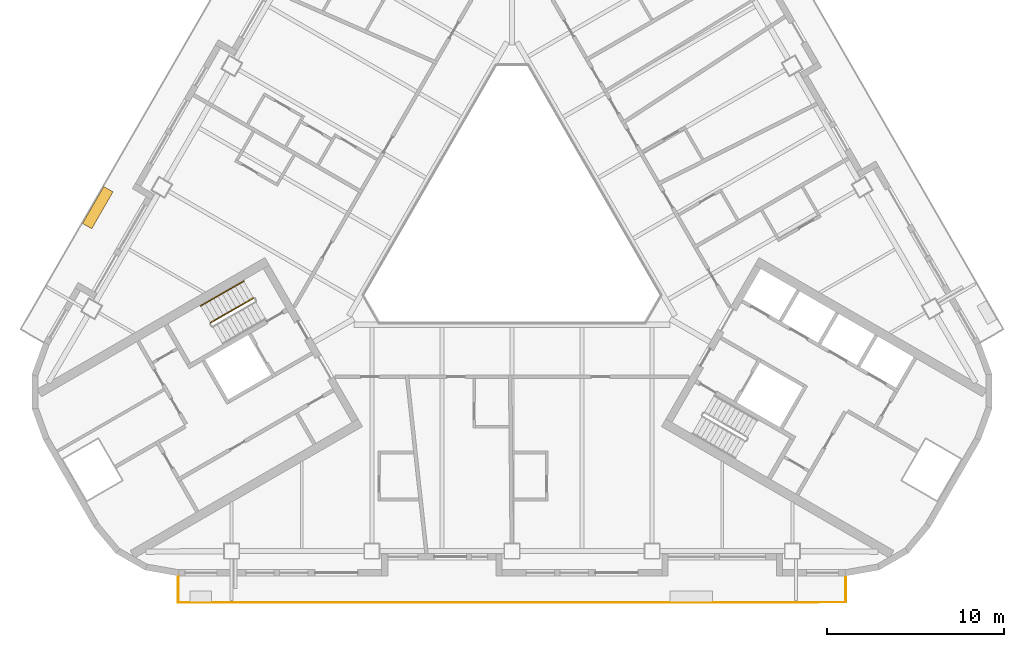
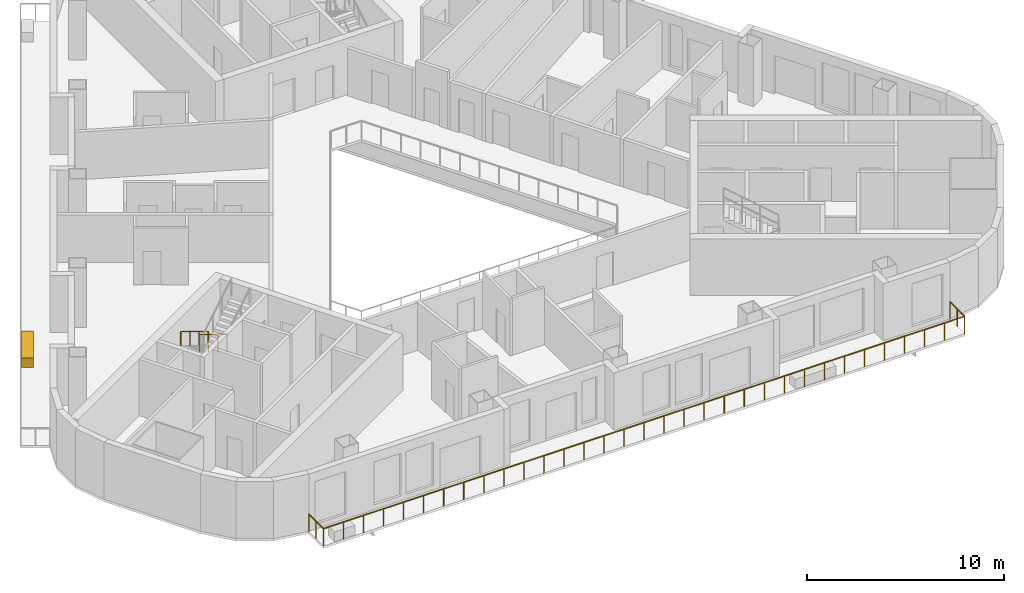
# One storey, part 10 of 14: 3 railings, 1 covering.
"""IFC4 building model written with IfcOpenShell, lengths in metres."""

from ifc_helpers import new_model, si_unit, direction, frame, origin, origin_2d, place, context, subcontext, project, spatial, rectangle, circle, extrude, material, type_object, element, save


model = new_model("IFC4")

# Units and contexts
model_context = context("Model", 3, precision=1e-05, world=origin(), true_north=direction((0.0, 1.0)))
body_context = subcontext(model_context, "Body", "Model", "MODEL_VIEW")
ifc_project = project(units=[si_unit("LENGTHUNIT", "METRE"), si_unit("AREAUNIT", "SQUARE_METRE"), si_unit("VOLUMEUNIT", "CUBIC_METRE"), si_unit("PLANEANGLEUNIT", "RADIAN"), si_unit("MASSUNIT", "GRAM", prefix="KILO")], contexts=[model_context])

# Site, building, storey
site_placement = place(None, origin())
site = spatial("IfcSite", under=ifc_project, at=site_placement, CompositionType="ELEMENT")
building_placement = place(site_placement, origin())
building = spatial("IfcBuilding", under=site, at=building_placement, Name="Apuvela Tower Hotel", CompositionType="ELEMENT")
storey_placement = place(building_placement, frame((0.0, 0.0, 116.800048828125)))
storey = spatial("IfcBuildingStorey", under=building, at=storey_placement, Name="L27", CompositionType="ELEMENT", Elevation=116.800048828125)

# Railings
ifc_material_1 = material(Name="Steel S275 balustrade", Category="steel")
railing_type_1 = type_object("IfcRailingType", Name="COR-GUARD-1100", PredefinedType="GUARDRAIL", material=ifc_material_1)
railing_1_placement = place(storey_placement, frame((-14.569091796875, -3.9658203125, 0.168212890625)))
element("IfcRailing", 1, at=railing_1_placement, inside=storey, type_object=railing_type_1, Name="L27 ST2 stair guard 1", PredefinedType="GUARDRAIL", context=body_context, shape_type="SweptSolid", body=[
    extrude(rectangle(XDim=0.048095703125, YDim=0.048095703125, at=origin_2d()), frame((0.0, 0.0, 1.076171875), z_axis=(-0.74241905619, -0.428617687091, 0.514879426), x_axis=(0.49998411664, -0.866034573852, 0.0)), (0.0, 0.0, 1.0), 3.26611328125),
    extrude(rectangle(XDim=0.0419921875, YDim=0.0419921875, at=origin_2d()), origin(), (0.0, 0.0, 1.0), 1.052001953125),
    extrude(rectangle(XDim=0.0419921875, YDim=0.0419921875, at=origin_2d()), frame((-0.808349609375, -0.466552734375, 0.560546875)), (0.0, 0.0, 1.0), 1.052001953125),
    extrude(rectangle(XDim=0.0419921875, YDim=0.0419921875, at=origin_2d()), frame((-1.616455078125, -0.933349609375, 1.12109375)), (0.0, 0.0, 1.0), 1.052001953125),
    extrude(rectangle(XDim=0.0419921875, YDim=0.0419921875, at=origin_2d()), frame((-2.4248046875, -1.39990234375, 1.681640625)), (0.0, 0.0, 1.0), 1.052001953125),
])
ifc_material_2 = material(Name="Stainless steel 316 handrail", Category="steel")
railing_type_2 = type_object("IfcRailingType", Name="COR-HANDRAIL-900", PredefinedType="HANDRAIL", material=ifc_material_2)
railing_2_placement = place(storey_placement, frame((-15.118896484375, -3.01318359375, 0.168212890625)))
element("IfcRailing", 2, at=railing_2_placement, inside=storey, type_object=railing_type_2, Name="L27 ST2 stair handrail 1", PredefinedType="HANDRAIL", context=body_context, shape_type="SweptSolid", body=[
    extrude(circle(Radius=0.02392578125, at=origin_2d()), frame((0.0, 0.0, 0.8759765625), z_axis=(-0.742452602333, -0.428593901316, 0.514850853203), x_axis=(0.49994636267, -0.866056369097, 0.0)), (0.0, 0.0, 1.0), 3.266357421875),
    extrude(rectangle(XDim=0.0419921875, YDim=0.0419921875, at=origin_2d()), origin(), (0.0, 0.0, 1.0), 0.851806640625),
    extrude(rectangle(XDim=0.0419921875, YDim=0.0419921875, at=origin_2d()), frame((-0.808349609375, -0.466552734375, 0.560546875)), (0.0, 0.0, 1.0), 0.851806640625),
    extrude(rectangle(XDim=0.0419921875, YDim=0.0419921875, at=origin_2d()), frame((-1.61669921875, -0.933349609375, 1.12109375)), (0.0, 0.0, 1.0), 0.851806640625),
    extrude(rectangle(XDim=0.0419921875, YDim=0.0419921875, at=origin_2d()), frame((-2.425048828125, -1.39990234375, 1.681640625)), (0.0, 0.0, 1.0), 0.851806640625),
])
ifc_material_3 = material(Name="Stainless steel 316 rail with laminated glass infill", Category="steel")
railing_type_3 = type_object("IfcRailingType", Name="ENV-GUARD-1100", PredefinedType="GUARDRAIL", material=ifc_material_3)
railing_3_placement = place(storey_placement, frame((-18.81591796875, -19.6298828125, 0.0)))
element("IfcRailing", 3, at=railing_3_placement, inside=storey, type_object=railing_type_3, Name="Balcony guard S L27", PredefinedType="GUARDRAIL", context=body_context, shape_type="SweptSolid", body=[
    extrude(rectangle(XDim=0.050048828125, YDim=0.050048828125, at=origin_2d()), frame((0.0, 0.0, 1.0751953125), z_axis=(0.0, -1.0, 0.0), x_axis=(1.0, 0.0, 0.0)), (0.0, 0.0, 1.0), 1.5),
    extrude(rectangle(XDim=0.050048828125, YDim=0.050048828125, at=origin_2d()), frame((0.0, -1.5, 1.0751953125), z_axis=(1.0, 0.0, 0.0), x_axis=(0.0, 1.0, 0.0)), (0.0, 0.0, 1.0), 37.6318359375),
    extrude(rectangle(XDim=0.050048828125, YDim=0.050048828125, at=origin_2d()), frame((37.6318359375, -1.5, 1.0751953125), z_axis=(0.0, 1.0, 0.0), x_axis=(-1.0, 0.0, 0.0)), (0.0, 0.0, 1.0), 1.5),
    extrude(rectangle(XDim=0.0400390625, YDim=0.0400390625, at=origin_2d()), origin(), (0.0, 0.0, 1.0), 1.050048828125),
    extrude(rectangle(XDim=0.0400390625, YDim=0.0400390625, at=origin_2d()), frame((0.0, -0.75, 0.0)), (0.0, 0.0, 1.0), 1.050048828125),
    extrude(rectangle(XDim=0.0400390625, YDim=0.0400390625, at=origin_2d()), frame((0.0, -1.5, 0.0)), (0.0, 0.0, 1.0), 1.050048828125),
    extrude(rectangle(XDim=0.0400390625, YDim=0.0400390625, at=origin_2d()), frame((1.176025390625, -1.5, 0.0)), (0.0, 0.0, 1.0), 1.050048828125),
    extrude(rectangle(XDim=0.0400390625, YDim=0.0400390625, at=origin_2d()), frame((2.35205078125, -1.5, 0.0)), (0.0, 0.0, 1.0), 1.050048828125),
    extrude(rectangle(XDim=0.0400390625, YDim=0.0400390625, at=origin_2d()), frame((3.528076171875, -1.5, 0.0)), (0.0, 0.0, 1.0), 1.050048828125),
    extrude(rectangle(XDim=0.0400390625, YDim=0.0400390625, at=origin_2d()), frame((4.7041015625, -1.5, 0.0)), (0.0, 0.0, 1.0), 1.050048828125),
    extrude(rectangle(XDim=0.0400390625, YDim=0.0400390625, at=origin_2d()), frame((5.8798828125, -1.5, 0.0)), (0.0, 0.0, 1.0), 1.050048828125),
    extrude(rectangle(XDim=0.0400390625, YDim=0.0400390625, at=origin_2d()), frame((7.055908203125, -1.5, 0.0)), (0.0, 0.0, 1.0), 1.050048828125),
    extrude(rectangle(XDim=0.0400390625, YDim=0.0400390625, at=origin_2d()), frame((8.23193359375, -1.5, 0.0)), (0.0, 0.0, 1.0), 1.050048828125),
    extrude(rectangle(XDim=0.0400390625, YDim=0.0400390625, at=origin_2d()), frame((9.407958984375, -1.5, 0.0)), (0.0, 0.0, 1.0), 1.050048828125),
    extrude(rectangle(XDim=0.0400390625, YDim=0.0400390625, at=origin_2d()), frame((10.583984375, -1.5, 0.0)), (0.0, 0.0, 1.0), 1.050048828125),
    extrude(rectangle(XDim=0.0400390625, YDim=0.0400390625, at=origin_2d()), frame((11.760009765625, -1.5, 0.0)), (0.0, 0.0, 1.0), 1.050048828125),
    extrude(rectangle(XDim=0.0400390625, YDim=0.0400390625, at=origin_2d()), frame((12.93603515625, -1.5, 0.0)), (0.0, 0.0, 1.0), 1.050048828125),
    extrude(rectangle(XDim=0.0400390625, YDim=0.0400390625, at=origin_2d()), frame((14.11181640625, -1.5, 0.0)), (0.0, 0.0, 1.0), 1.050048828125),
    extrude(rectangle(XDim=0.0400390625, YDim=0.0400390625, at=origin_2d()), frame((15.287841796875, -1.5, 0.0)), (0.0, 0.0, 1.0), 1.050048828125),
    extrude(rectangle(XDim=0.0400390625, YDim=0.0400390625, at=origin_2d()), frame((16.4638671875, -1.5, 0.0)), (0.0, 0.0, 1.0), 1.050048828125),
    extrude(rectangle(XDim=0.0400390625, YDim=0.0400390625, at=origin_2d()), frame((17.639892578125, -1.5, 0.0)), (0.0, 0.0, 1.0), 1.050048828125),
    extrude(rectangle(XDim=0.0400390625, YDim=0.0400390625, at=origin_2d()), frame((18.81591796875, -1.5, 0.0)), (0.0, 0.0, 1.0), 1.050048828125),
    extrude(rectangle(XDim=0.0400390625, YDim=0.0400390625, at=origin_2d()), frame((19.991943359375, -1.5, 0.0)), (0.0, 0.0, 1.0), 1.050048828125),
    extrude(rectangle(XDim=0.0400390625, YDim=0.0400390625, at=origin_2d()), frame((21.16796875, -1.5, 0.0)), (0.0, 0.0, 1.0), 1.050048828125),
    extrude(rectangle(XDim=0.0400390625, YDim=0.0400390625, at=origin_2d()), frame((22.343994140625, -1.5, 0.0)), (0.0, 0.0, 1.0), 1.050048828125),
    extrude(rectangle(XDim=0.0400390625, YDim=0.0400390625, at=origin_2d()), frame((23.52001953125, -1.5, 0.0)), (0.0, 0.0, 1.0), 1.050048828125),
    extrude(rectangle(XDim=0.0400390625, YDim=0.0400390625, at=origin_2d()), frame((24.69580078125, -1.5, 0.0)), (0.0, 0.0, 1.0), 1.050048828125),
    extrude(rectangle(XDim=0.0400390625, YDim=0.0400390625, at=origin_2d()), frame((25.871826171875, -1.5, 0.0)), (0.0, 0.0, 1.0), 1.050048828125),
    extrude(rectangle(XDim=0.0400390625, YDim=0.0400390625, at=origin_2d()), frame((27.0478515625, -1.5, 0.0)), (0.0, 0.0, 1.0), 1.050048828125),
    extrude(rectangle(XDim=0.0400390625, YDim=0.0400390625, at=origin_2d()), frame((28.223876953125, -1.5, 0.0)), (0.0, 0.0, 1.0), 1.050048828125),
    extrude(rectangle(XDim=0.0400390625, YDim=0.0400390625, at=origin_2d()), frame((29.39990234375, -1.5, 0.0)), (0.0, 0.0, 1.0), 1.050048828125),
    extrude(rectangle(XDim=0.0400390625, YDim=0.0400390625, at=origin_2d()), frame((30.575927734375, -1.5, 0.0)), (0.0, 0.0, 1.0), 1.050048828125),
    extrude(rectangle(XDim=0.0400390625, YDim=0.0400390625, at=origin_2d()), frame((31.751953125, -1.5, 0.0)), (0.0, 0.0, 1.0), 1.050048828125),
    extrude(rectangle(XDim=0.0400390625, YDim=0.0400390625, at=origin_2d()), frame((32.927734375, -1.5, 0.0)), (0.0, 0.0, 1.0), 1.050048828125),
    extrude(rectangle(XDim=0.0400390625, YDim=0.0400390625, at=origin_2d()), frame((34.103759765625, -1.5, 0.0)), (0.0, 0.0, 1.0), 1.050048828125),
    extrude(rectangle(XDim=0.0400390625, YDim=0.0400390625, at=origin_2d()), frame((35.27978515625, -1.5, 0.0)), (0.0, 0.0, 1.0), 1.050048828125),
    extrude(rectangle(XDim=0.0400390625, YDim=0.0400390625, at=origin_2d()), frame((36.455810546875, -1.5, 0.0)), (0.0, 0.0, 1.0), 1.050048828125),
    extrude(rectangle(XDim=0.0400390625, YDim=0.0400390625, at=origin_2d()), frame((37.6318359375, -1.5, 0.0)), (0.0, 0.0, 1.0), 1.050048828125),
    extrude(rectangle(XDim=0.0400390625, YDim=0.0400390625, at=origin_2d()), frame((37.6318359375, -0.75, 0.0)), (0.0, 0.0, 1.0), 1.050048828125),
    extrude(rectangle(XDim=0.0400390625, YDim=0.0400390625, at=origin_2d()), frame((37.6318359375, 0.0, 0.0)), (0.0, 0.0, 1.0), 1.050048828125),
])

# Covering
ifc_material_4 = material(Name="Planting substrate and soil, planted")
covering_type = type_object("IfcCoveringType", Name="ENV-PLANTER-2400x600", PredefinedType="USERDEFINED", material=ifc_material_4)
covering_placement = place(storey_placement, frame((-23.345947265625, 1.12353515625, 0.0), z_axis=(0.0, 0.0, 1.0), x_axis=(-0.5, -0.866025403784, 0.0)))
element("IfcCovering", 4, at=covering_placement, inside=storey, type_object=covering_type, Name="Planter NW5", ObjectType="PLANTER", PredefinedType="USERDEFINED", context=body_context, shape_type="SweptSolid", body=[
    extrude(rectangle(XDim=2.39990234375, YDim=0.60009765625, at=origin_2d()), origin(), (0.0, 0.0, 1.0), 0.60009765625),
])

save(model, "model.ifc")
